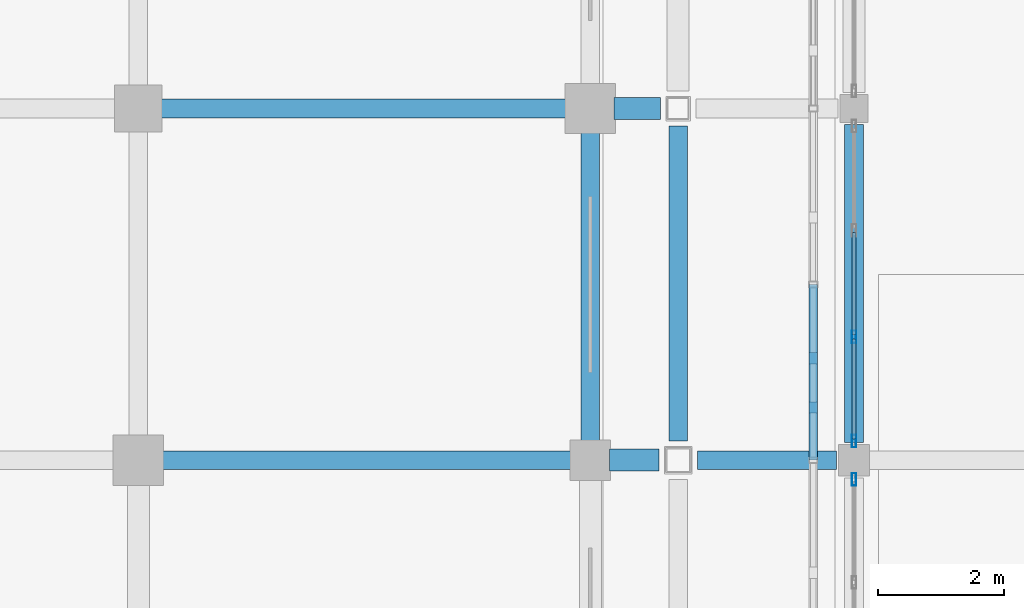
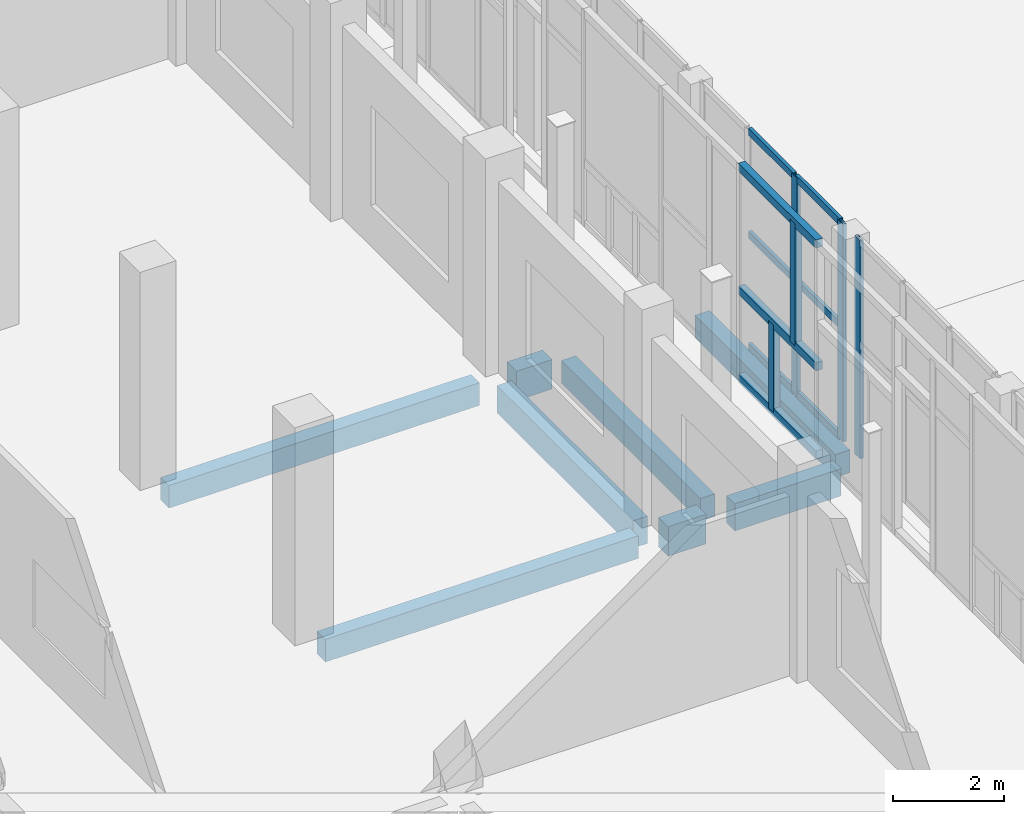
# One storey, part 34 of 91: 14 members, 8 beams, 2 elements without a shape of their own.
"""IFC4 building model written with IfcOpenShell, lengths in metres."""

from ifc_helpers import new_model, si_unit, direction, frame, origin, origin_2d, place, context, subcontext, project, spatial, rectangle, hollow_rectangle, extrude, material, layer, layer_set, material_profile, profile_set, type_object, element, aggregate, save


model = new_model("IFC4")

# Units and contexts
model_context = context("Model", 3, precision=1e-05, world=origin(), true_north=direction((0.0, 1.0)))
body_context = subcontext(model_context, "Body", "Model", "MODEL_VIEW")
ifc_project = project(units=[si_unit("LENGTHUNIT", "METRE"), si_unit("AREAUNIT", "SQUARE_METRE"), si_unit("VOLUMEUNIT", "CUBIC_METRE"), si_unit("PLANEANGLEUNIT", "RADIAN"), si_unit("MASSUNIT", "GRAM", prefix="KILO")], contexts=[model_context])

# Site, building, storey
site_placement = place(None, origin())
site = spatial("IfcSite", under=ifc_project, at=site_placement, CompositionType="ELEMENT")
building_placement = place(site_placement, origin())
building = spatial("IfcBuilding", under=site, at=building_placement, Name="Vinh Khe Railworks Police Headquarters", CompositionType="ELEMENT")
storey_placement = place(building_placement, origin())
storey = spatial("IfcBuildingStorey", under=building, at=storey_placement, Name="L00", CompositionType="ELEMENT", Elevation=0.0)

# Members
ifc_material_1 = material(Name="Salvaged ironwood timber", Category="wood")
ifc_material_profile_1 = material_profile(ifc_material_1, rectangle(XDim=0.139892578125, YDim=0.179931640625, at=origin_2d()), Name="TIMBER 140x180")
ifc_profile_set_1 = profile_set([ifc_material_profile_1], Name="Salvaged ironwood timber")
member_type_1 = type_object("IfcMemberType", Name="MEM-QUILT-STILE", PredefinedType="CHORD", material=ifc_profile_set_1)
for number, where, z_axis, x_axis, name in (
    (1, (25.75, 42.0, 4.719970703125), (0.0, 1.0, 0.0), (-1.0, 0.0, 0.0), "Salvaged Timber Quilt Transom W-L00-06-TOP"),
    (2, (25.75, 42.0, 0.080078125), (0.0, 1.0, 0.0), (-1.0, 0.0, 0.0), "Salvaged Timber Quilt Transom W-L00-06-BOT"),
    (3, (25.75, 42.0, 2.01611328125), (0.0, 1.0, 0.0), (-1.0, 0.0, 0.0), "Salvaged Timber Quilt Transom W-L00-06-M1"),
):
    element("IfcMember", number, at=place(storey_placement, frame(where, z_axis=z_axis, x_axis=x_axis)), inside=storey, type_object=member_type_1, Name=name, PredefinedType="CHORD", context=body_context, shape_type="SweptSolid", body=[
        extrude(rectangle(XDim=0.139892578125, YDim=0.179931640625, at=origin_2d()), origin(), (0.0, 0.0, 1.0), 2.800048828125),
    ])
member_1_placement = place(storey_placement, frame((25.75, 43.6240234375, 0.080078125), z_axis=(0.0, 0.0, 1.0), x_axis=(1.0, 0.0, 0.0)))
element("IfcMember", 4, at=member_1_placement, inside=storey, type_object=member_type_1, Name="Salvaged Timber Quilt Stile W-L00-06-V1", PredefinedType="POST", context=body_context, shape_type="SweptSolid", body=[
    extrude(rectangle(XDim=0.139892578125, YDim=0.179931640625, at=origin_2d()), origin(), (0.0, 0.0, 1.0), 1.93603515625),
])
member_2_placement = place(storey_placement, frame((25.75, 42.840087890625, 2.01611328125), z_axis=(0.0, 0.0, 1.0), x_axis=(1.0, 0.0, 0.0)))
element("IfcMember", 5, at=member_2_placement, inside=storey, type_object=member_type_1, Name="Salvaged Timber Quilt Stile W-L00-06-V2", PredefinedType="POST", context=body_context, shape_type="SweptSolid", body=[
    extrude(rectangle(XDim=0.139892578125, YDim=0.179931640625, at=origin_2d()), origin(), (0.0, 0.0, 1.0), 2.703857421875),
])

# Curtain wall, member
ifc_material_2 = material(Name="Anodised aluminium and low-iron glass", Category="aluminium")
ifc_layer = layer(ifc_material_2, 0.179931640625)
ifc_layer_set = layer_set([ifc_layer], Name="Anodised aluminium and low-iron glass")
curtain_wall_type = type_object("IfcCurtainWallType", Name="CW-CUBE-UNIT", PredefinedType="USERDEFINED", material=ifc_layer_set)
curtain_wall_1_placement = place(storey_placement, origin())
curtain_wall_1 = element("IfcCurtainWall", 6, at=curtain_wall_1_placement, inside=storey, type_object=curtain_wall_type, Name="Entrance Hall Curtain Wall L00 W-3", ObjectType="UNITISED GLAZING", PredefinedType="USERDEFINED")
ifc_material_3 = material(Name="Anodised aluminium 6063-T6", Category="aluminium")
ifc_material_profile_2 = material_profile(ifc_material_3, hollow_rectangle(XDim=0.070068359375, YDim=0.199951171875, WallThickness=0.0048828125, at=origin_2d()), Name="CW-M 70x200x5")
ifc_profile_set_2 = profile_set([ifc_material_profile_2], Name="Anodised aluminium 6063-T6")
member_type_2 = type_object("IfcMemberType", Name="MULL-CWM-03", PredefinedType="MULLION", material=ifc_profile_set_2)
member_3_placement = place(storey_placement, frame((26.39990234375, 41.695068359375, 0.0), z_axis=(0.0, 0.0, 1.0), x_axis=(-1.0, 0.0, 0.0)))
member_3 = element("IfcMember", 7, at=member_3_placement, type_object=member_type_2, Name="CW-01 mullion 4", PredefinedType="MULLION", context=body_context, shape_type="SweptSolid", body=[
    extrude(hollow_rectangle(XDim=0.070068359375, YDim=0.199951171875, WallThickness=0.0048828125, at=origin_2d()), origin(), (0.0, 0.0, 1.0), 4.800048828125),
])
aggregate(curtain_wall_1, [member_3])

# Curtain wall, members
curtain_wall_2_placement = place(storey_placement, origin())
curtain_wall_2 = element("IfcCurtainWall", 8, at=curtain_wall_2_placement, inside=storey, type_object=curtain_wall_type, Name="Entrance Hall Curtain Wall L00 W-4", ObjectType="UNITISED GLAZING", PredefinedType="USERDEFINED")
member_4_placement = place(storey_placement, frame((26.39990234375, 42.304931640625, 0.0), z_axis=(0.0, 0.0, 1.0), x_axis=(-1.0, 0.0, 0.0)))
member_4 = element("IfcMember", 9, at=member_4_placement, type_object=member_type_2, Name="CW-01 mullion 1", PredefinedType="MULLION", context=body_context, shape_type="SweptSolid", body=[
    extrude(hollow_rectangle(XDim=0.070068359375, YDim=0.199951171875, WallThickness=0.0048828125, at=origin_2d()), origin(), (0.0, 0.0, 1.0), 4.800048828125),
])
member_5_placement = place(storey_placement, frame((26.39990234375, 43.965087890625, 0.0), z_axis=(0.0, 0.0, 1.0), x_axis=(-1.0, 0.0, 0.0)))
member_5 = element("IfcMember", 10, at=member_5_placement, type_object=member_type_2, Name="CW-01 mullion 2", PredefinedType="MULLION", context=body_context, shape_type="SweptSolid", body=[
    extrude(hollow_rectangle(XDim=0.070068359375, YDim=0.199951171875, WallThickness=0.0048828125, at=origin_2d()), origin(), (0.0, 0.0, 1.0), 4.800048828125),
])

# Beams
ifc_material_4 = material(Name="Concrete C35/45 (B35)", Category="concrete")
ifc_material_profile_3 = material_profile(ifc_material_4, rectangle(XDim=0.300048828125, YDim=0.5, at=origin_2d()), Name="RC 300x500")
ifc_profile_set_3 = profile_set([ifc_material_profile_3], Name="Concrete C35/45 (B35)")
beam_type_1 = type_object("IfcBeamType", Name="RC Girder RC 300x500", PredefinedType="BEAM", material=ifc_profile_set_3)
beam_1_placement = place(storey_placement, frame((15.3798828125, 42.0, -0.530029296875), z_axis=(1.0, 0.0, 0.0), x_axis=(0.0, 1.0, 0.0)))
element("IfcBeam", 11, at=beam_1_placement, inside=storey, type_object=beam_type_1, Name="Girder BM-L00-EW-RB-10-0057", PredefinedType="BEAM", context=body_context, shape_type="SweptSolid", body=[
    extrude(rectangle(XDim=0.300048828125, YDim=0.5, at=origin_2d()), origin(), (0.0, 0.0, 1.0), 6.51513671875),
])
beam_2_placement = place(storey_placement, frame((15.35498046875, 47.60009765625, -0.530029296875), z_axis=(1.0, 0.0, 0.0), x_axis=(0.0, 1.0, 0.0)))
element("IfcBeam", 12, at=beam_2_placement, inside=storey, type_object=beam_type_1, Name="Girder BM-L00-EW-RB-10-0063", PredefinedType="BEAM", context=body_context, shape_type="SweptSolid", body=[
    extrude(rectangle(XDim=0.300048828125, YDim=0.5, at=origin_2d()), origin(), (0.0, 0.0, 1.0), 6.465087890625),
])
beam_3_placement = place(storey_placement, frame((23.60009765625, 42.304931640625, -0.530029296875), z_axis=(0.0, 1.0, 0.0), x_axis=(-1.0, 0.0, 0.0)))
element("IfcBeam", 13, at=beam_3_placement, inside=storey, type_object=beam_type_1, Name="Girder BM-L00-NS-RB-10-0267", PredefinedType="BEAM", context=body_context, shape_type="SweptSolid", body=[
    extrude(rectangle(XDim=0.300048828125, YDim=0.5, at=origin_2d()), origin(), (0.0, 0.0, 1.0), 5.01513671875),
])
beam_4_placement = place(storey_placement, frame((26.39990234375, 42.280029296875, -0.530029296875), z_axis=(0.0, 1.0, 0.0), x_axis=(-1.0, 0.0, 0.0)))
element("IfcBeam", 14, at=beam_4_placement, inside=storey, type_object=beam_type_1, Name="Girder BM-L00-NS-RB-10-0279", PredefinedType="BEAM", context=body_context, shape_type="SweptSolid", body=[
    extrude(rectangle(XDim=0.300048828125, YDim=0.5, at=origin_2d()), origin(), (0.0, 0.0, 1.0), 5.06494140625),
])
ifc_material_profile_4 = material_profile(ifc_material_4, rectangle(XDim=0.300048828125, YDim=0.60009765625, at=origin_2d()), Name="RC 300x600")
ifc_profile_set_4 = profile_set([ifc_material_profile_4], Name="Concrete C35/45 (B35)")
beam_type_2 = type_object("IfcBeamType", Name="RC Girder RC 300x600", PredefinedType="BEAM", material=ifc_profile_set_4)
beam_5_placement = place(storey_placement, frame((23.905029296875, 42.0, -0.580078125), z_axis=(1.0, 0.0, 0.0), x_axis=(0.0, 1.0, 0.0)))
element("IfcBeam", 15, at=beam_5_placement, inside=storey, type_object=beam_type_2, Name="Girder BM-L00-EW-RB-09-0059", PredefinedType="BEAM", context=body_context, shape_type="SweptSolid", body=[
    extrude(rectangle(XDim=0.300048828125, YDim=0.60009765625, at=origin_2d()), origin(), (0.0, 0.0, 1.0), 2.215087890625),
])
beam_6_placement = place(storey_placement, frame((22.199951171875, 42.304931640625, -0.580078125), z_axis=(0.0, 1.0, 0.0), x_axis=(-1.0, 0.0, 0.0)))
element("IfcBeam", 16, at=beam_6_placement, inside=storey, type_object=beam_type_2, Name="Girder BM-L00-NS-RB-09-0251", PredefinedType="BEAM", context=body_context, shape_type="SweptSolid", body=[
    extrude(rectangle(XDim=0.300048828125, YDim=0.60009765625, at=origin_2d()), origin(), (0.0, 0.0, 1.0), 4.9150390625),
])
ifc_material_profile_5 = material_profile(ifc_material_4, rectangle(XDim=0.35009765625, YDim=0.64990234375, at=origin_2d()), Name="RC 350x650")
ifc_profile_set_5 = profile_set([ifc_material_profile_5], Name="Concrete C35/45 (B35)")
beam_type_3 = type_object("IfcBeamType", Name="RC Girder RC 350x650", PredefinedType="BEAM", material=ifc_profile_set_5)
beam_7_placement = place(storey_placement, frame((22.5048828125, 42.0, -0.60498046875), z_axis=(1.0, 0.0, 0.0), x_axis=(0.0, 1.0, 0.0)))
element("IfcBeam", 17, at=beam_7_placement, inside=storey, type_object=beam_type_3, Name="Girder BM-L00-EW-RB-08-0058", PredefinedType="BEAM", context=body_context, shape_type="SweptSolid", body=[
    extrude(rectangle(XDim=0.35009765625, YDim=0.64990234375, at=origin_2d()), origin(), (0.0, 0.0, 1.0), 0.7900390625),
])
beam_8_placement = place(storey_placement, frame((22.580078125, 47.60009765625, -0.60498046875), z_axis=(1.0, 0.0, 0.0), x_axis=(0.0, 1.0, 0.0)))
element("IfcBeam", 18, at=beam_8_placement, inside=storey, type_object=beam_type_3, Name="Girder BM-L00-EW-RB-08-0064", PredefinedType="BEAM", context=body_context, shape_type="SweptSolid", body=[
    extrude(rectangle(XDim=0.35009765625, YDim=0.64990234375, at=origin_2d()), origin(), (0.0, 0.0, 1.0), 0.739990234375),
])

# Member
ifc_material_profile_6 = material_profile(ifc_material_3, hollow_rectangle(XDim=0.070068359375, YDim=0.14990234375, WallThickness=0.0048828125, at=origin_2d()), Name="CW-T 70x150x5")
ifc_profile_set_6 = profile_set([ifc_material_profile_6], Name="Anodised aluminium 6063-T6")
member_type_3 = type_object("IfcMemberType", Name="TRAN-CWT-03", PredefinedType="USERDEFINED", material=ifc_profile_set_6)
member_6_placement = place(storey_placement, frame((26.39990234375, 42.340087890625, 0.034912109375), z_axis=(0.0, 1.0, 0.0), x_axis=(-1.0, 0.0, 0.0)))
member_6 = element("IfcMember", 19, at=member_6_placement, type_object=member_type_3, Name="CW-01 transom 1.1", ObjectType="TRANSOM", PredefinedType="USERDEFINED", context=body_context, shape_type="SweptSolid", body=[
    extrude(hollow_rectangle(XDim=0.070068359375, YDim=0.14990234375, WallThickness=0.0048828125, at=origin_2d()), origin(), (0.0, 0.0, 1.0), 1.58984375),
])

member_7_placement = place(storey_placement, frame((26.39990234375, 42.340087890625, 2.49609375), z_axis=(0.0, 1.0, 0.0), x_axis=(-1.0, 0.0, 0.0)))
member_7 = element("IfcMember", 20, at=member_7_placement, type_object=member_type_3, Name="CW-01 transom 1.2", ObjectType="TRANSOM", PredefinedType="USERDEFINED", context=body_context, shape_type="SweptSolid", body=[
    extrude(hollow_rectangle(XDim=0.070068359375, YDim=0.14990234375, WallThickness=0.0048828125, at=origin_2d()), origin(), (0.0, 0.0, 1.0), 1.58984375),
])

member_8_placement = place(storey_placement, frame((26.39990234375, 42.340087890625, 4.764892578125), z_axis=(0.0, 1.0, 0.0), x_axis=(-1.0, 0.0, 0.0)))
member_8 = element("IfcMember", 21, at=member_8_placement, type_object=member_type_3, Name="CW-01 transom 1.3", ObjectType="TRANSOM", PredefinedType="USERDEFINED", context=body_context, shape_type="SweptSolid", body=[
    extrude(hollow_rectangle(XDim=0.070068359375, YDim=0.14990234375, WallThickness=0.0048828125, at=origin_2d()), origin(), (0.0, 0.0, 1.0), 1.58984375),
])

member_9_placement = place(storey_placement, frame((26.39990234375, 44.0, 0.034912109375), z_axis=(0.0, 1.0, 0.0), x_axis=(-1.0, 0.0, 0.0)))
member_9 = element("IfcMember", 22, at=member_9_placement, type_object=member_type_3, Name="CW-01 transom 2.1", ObjectType="TRANSOM", PredefinedType="USERDEFINED", context=body_context, shape_type="SweptSolid", body=[
    extrude(hollow_rectangle(XDim=0.070068359375, YDim=0.14990234375, WallThickness=0.0048828125, at=origin_2d()), origin(), (0.0, 0.0, 1.0), 1.625),
])

member_10_placement = place(storey_placement, frame((26.39990234375, 44.0, 2.49609375), z_axis=(0.0, 1.0, 0.0), x_axis=(-1.0, 0.0, 0.0)))
member_10 = element("IfcMember", 23, at=member_10_placement, type_object=member_type_3, Name="CW-01 transom 2.2", ObjectType="TRANSOM", PredefinedType="USERDEFINED", context=body_context, shape_type="SweptSolid", body=[
    extrude(hollow_rectangle(XDim=0.070068359375, YDim=0.14990234375, WallThickness=0.0048828125, at=origin_2d()), origin(), (0.0, 0.0, 1.0), 1.625),
])

member_11_placement = place(storey_placement, frame((26.39990234375, 44.0, 4.764892578125), z_axis=(0.0, 1.0, 0.0), x_axis=(-1.0, 0.0, 0.0)))
member_11 = element("IfcMember", 24, at=member_11_placement, type_object=member_type_3, Name="CW-01 transom 2.3", ObjectType="TRANSOM", PredefinedType="USERDEFINED", context=body_context, shape_type="SweptSolid", body=[
    extrude(hollow_rectangle(XDim=0.070068359375, YDim=0.14990234375, WallThickness=0.0048828125, at=origin_2d()), origin(), (0.0, 0.0, 1.0), 1.625),
])

aggregate(curtain_wall_2, [member_4, member_5, member_6, member_7, member_8, member_9, member_10, member_11])

save(model, "model.ifc")
